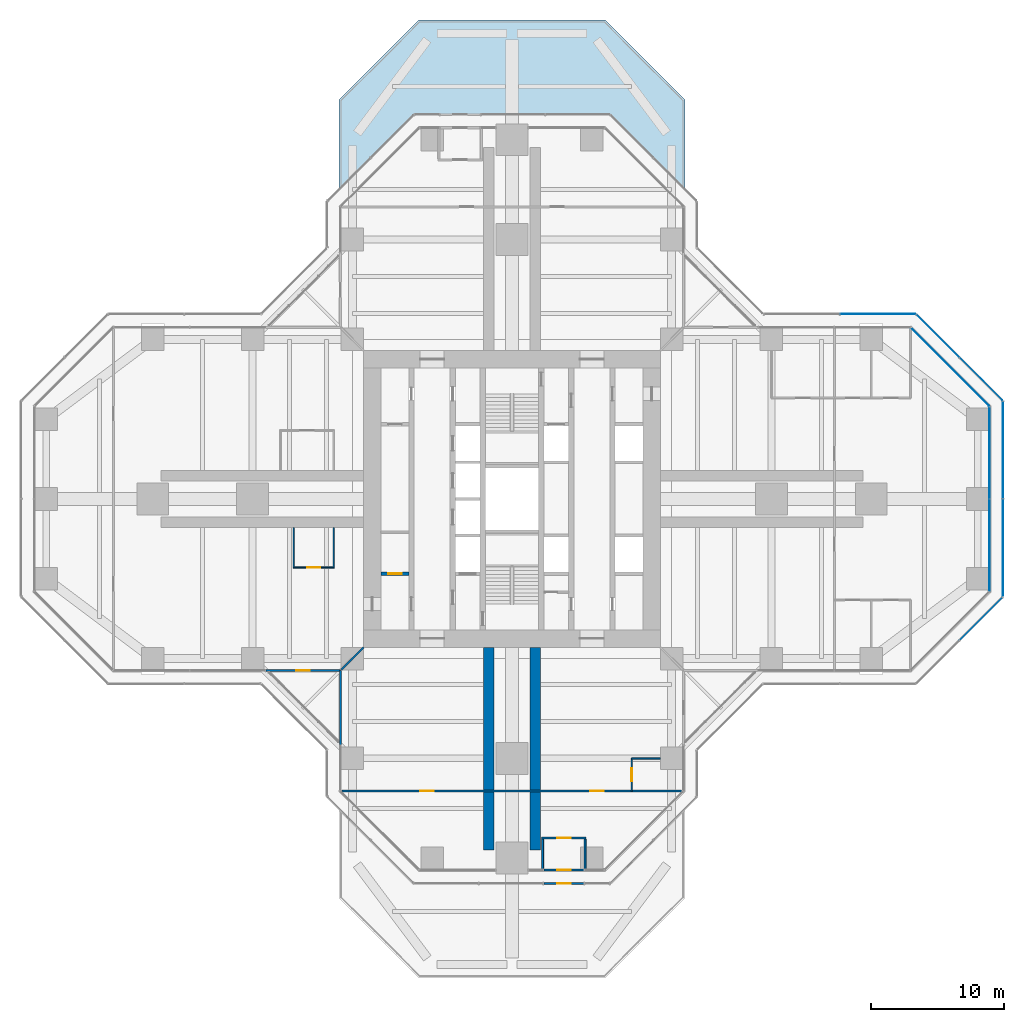
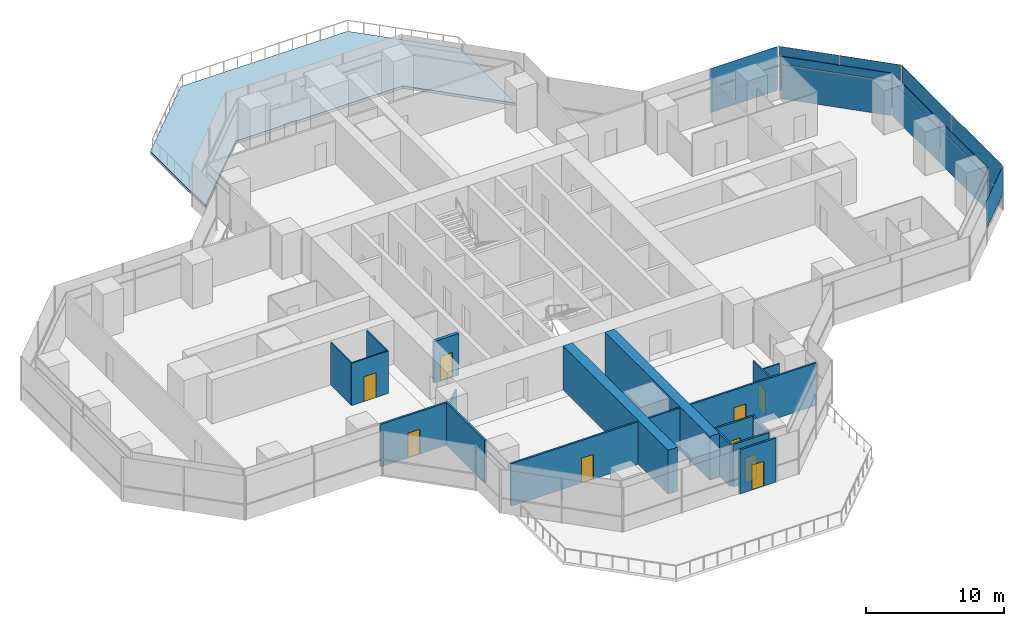
# One storey, part 16 of 21: 17 plates, 17 walls, 9 doors, 1 slab, 9 openings, 6 elements without a shape of their own.
"""IFC4 building model written with IfcOpenShell, lengths in metres."""

from ifc_helpers import new_model, si_unit, direction, frame, frame_2d, origin, origin_2d, place, context, subcontext, project, spatial, polyline, rectangle, outline, extrude, material, layer, layer_set, type_object, element, fill, aggregate, save


model = new_model("IFC4")

# Units and contexts
model_context = context("Model", 3, precision=1e-05, world=origin(), true_north=direction((0.0, 1.0)))
body_context = subcontext(model_context, "Body", "Model", "MODEL_VIEW")
ifc_project = project(units=[si_unit("LENGTHUNIT", "METRE"), si_unit("AREAUNIT", "SQUARE_METRE"), si_unit("VOLUMEUNIT", "CUBIC_METRE"), si_unit("PLANEANGLEUNIT", "RADIAN"), si_unit("MASSUNIT", "GRAM", prefix="KILO")], contexts=[model_context])

# Site, building, storey
site_placement = place(None, origin())
site = spatial("IfcSite", under=ifc_project, at=site_placement, CompositionType="ELEMENT")
building_placement = place(site_placement, origin())
building = spatial("IfcBuilding", under=site, at=building_placement, Name="Mizan Broadcast Tower", CompositionType="ELEMENT")
storey_placement = place(building_placement, frame((0.0, 0.0, 124.199951171875)))
storey = spatial("IfcBuildingStorey", under=building, at=storey_placement, Name="L27", CompositionType="ELEMENT", Elevation=124.199951171875)

# Curtain wall, plates
ifc_material_1 = material(Name="Aluminium framed glazing", Category="aluminium")
curtain_wall_type_1 = type_object("IfcCurtainWallType", Name="INNER SKIN MID ZONE", PredefinedType="USERDEFINED", material=ifc_material_1)
curtain_wall_1_placement = place(storey_placement, origin())
curtain_wall_1 = element("IfcCurtainWall", 1, at=curtain_wall_1_placement, inside=storey, type_object=curtain_wall_type_1, Name="Inner skin mid zone L27 E end", ObjectType="INNER SKIN MID ZONE", PredefinedType="USERDEFINED")
ifc_material_2 = material(Name="Double glazing, clear low-e", Category="glass")
ifc_layer_1 = layer(ifc_material_2, 0.028076171875)
ifc_layer_set_1 = layer_set([ifc_layer_1], Name="Double glazing, clear low-e")
plate_type_1 = type_object("IfcPlateType", Name="INNER SKIN GLAZING UNIT", PredefinedType="CURTAIN_PANEL", material=ifc_layer_set_1)
plate_1_placement = place(storey_placement, frame((35.89990234375, -3.46435546875, 0.0), z_axis=(0.0, 0.0, 1.0), x_axis=(0.0, 1.0, 0.0)))
plate_1 = element("IfcPlate", 2, at=plate_1_placement, type_object=plate_type_1, Name="Inner skin mid zone L27 E end panel 1.1", PredefinedType="CURTAIN_PANEL", context=body_context, shape_type="SweptSolid", body=[
    extrude(rectangle(XDim=6.86865234375, YDim=0.028076171875, at=origin_2d()), origin(), (0.0, 0.0, 1.0), 3.0),
])
plate_2_placement = place(storey_placement, frame((35.89990234375, 3.46435546875, 0.0), z_axis=(0.0, 0.0, 1.0), x_axis=(0.0, 1.0, 0.0)))
plate_2 = element("IfcPlate", 3, at=plate_2_placement, type_object=plate_type_1, Name="Inner skin mid zone L27 E end panel 2.1", PredefinedType="CURTAIN_PANEL", context=body_context, shape_type="SweptSolid", body=[
    extrude(rectangle(XDim=6.86865234375, YDim=0.028076171875, at=origin_2d()), origin(), (0.0, 0.0, 1.0), 3.0),
])

# Curtain wall, plate
curtain_wall_2_placement = place(storey_placement, origin())
curtain_wall_2 = element("IfcCurtainWall", 4, at=curtain_wall_2_placement, inside=storey, type_object=curtain_wall_type_1, Name="Inner skin mid zone L27 E chamfer", ObjectType="INNER SKIN MID ZONE", PredefinedType="USERDEFINED")
plate_3_placement = place(storey_placement, frame((32.92919921875, 9.92919921875, 0.0), z_axis=(0.0, 0.0, 1.0), x_axis=(-0.707106781187, 0.707106781187, 0.0)))
plate_3 = element("IfcPlate", 5, at=plate_3_placement, type_object=plate_type_1, Name="Inner skin mid zone L27 E chamfer panel 1.1", PredefinedType="CURTAIN_PANEL", context=body_context, shape_type="SweptSolid", body=[
    extrude(rectangle(XDim=8.282470703125, YDim=0.028076171875, at=origin_2d()), origin(), (0.0, 0.0, 1.0), 3.0),
])

# Plate
ifc_material_3 = material(Name="Insulated aluminium spandrel panel, pale anodised", Category="aluminium")
ifc_layer_2 = layer(ifc_material_3, 0.050048828125)
ifc_layer_set_2 = layer_set([ifc_layer_2], Name="Insulated aluminium spandrel panel, pale anodised")
plate_type_2 = type_object("IfcPlateType", Name="INNER SKIN SPANDREL PANEL", PredefinedType="CURTAIN_PANEL", material=ifc_layer_set_2)
plate_4_placement = place(storey_placement, frame((35.89990234375, -3.46435546875, 3.06005859375), z_axis=(0.0, 0.0, 1.0), x_axis=(0.0, 1.0, 0.0)))
plate_4 = element("IfcPlate", 6, at=plate_4_placement, type_object=plate_type_2, Name="Inner skin mid zone L27 E end panel 1.2", PredefinedType="CURTAIN_PANEL", context=body_context, shape_type="SweptSolid", body=[
    extrude(rectangle(XDim=6.86865234375, YDim=0.050048828125, at=origin_2d()), origin(), (0.0, 0.0, 1.0), 0.7099609375),
])

plate_5_placement = place(storey_placement, frame((35.89990234375, 3.46435546875, 3.06005859375), z_axis=(0.0, 0.0, 1.0), x_axis=(0.0, 1.0, 0.0)))
plate_5 = element("IfcPlate", 7, at=plate_5_placement, type_object=plate_type_2, Name="Inner skin mid zone L27 E end panel 2.2", PredefinedType="CURTAIN_PANEL", context=body_context, shape_type="SweptSolid", body=[
    extrude(rectangle(XDim=6.86865234375, YDim=0.050048828125, at=origin_2d()), origin(), (0.0, 0.0, 1.0), 0.7099609375),
])

aggregate(curtain_wall_1, [plate_1, plate_4, plate_2, plate_5])

plate_6_placement = place(storey_placement, frame((32.92919921875, 9.92919921875, 3.06005859375), z_axis=(0.0, 0.0, 1.0), x_axis=(-0.707106781187, 0.707106781187, 0.0)))
plate_6 = element("IfcPlate", 8, at=plate_6_placement, type_object=plate_type_2, Name="Inner skin mid zone L27 E chamfer panel 1.2", PredefinedType="CURTAIN_PANEL", context=body_context, shape_type="SweptSolid", body=[
    extrude(rectangle(XDim=8.282470703125, YDim=0.050048828125, at=origin_2d()), origin(), (0.0, 0.0, 1.0), 0.7099609375),
])

aggregate(curtain_wall_2, [plate_3, plate_6])

# Curtain wall, plates
ifc_material_4 = material(Name="Aluminium framed glazing", Category="aluminium")
curtain_wall_type_2 = type_object("IfcCurtainWallType", Name="OUTER SKIN", PredefinedType="USERDEFINED", material=ifc_material_4)
curtain_wall_3_placement = place(storey_placement, origin())
curtain_wall_3 = element("IfcCurtainWall", 9, at=curtain_wall_3_placement, inside=storey, type_object=curtain_wall_type_2, Name="Outer skin L27 E end", ObjectType="OUTER SKIN", PredefinedType="USERDEFINED")
ifc_material_5 = material(Name="Laminated clear glass", Category="glass")
ifc_layer_3 = layer(ifc_material_5, 0.02001953125)
ifc_layer_set_3 = layer_set([ifc_layer_3], Name="Laminated clear glass")
plate_type_3 = type_object("IfcPlateType", Name="OUTER SKIN CLEAR GLASS", PredefinedType="CURTAIN_PANEL", material=ifc_layer_set_3)
plate_7_placement = place(storey_placement, frame((36.89990234375, -3.66650390625, 0.0), z_axis=(0.0, 0.0, 1.0), x_axis=(0.0, 1.0, 0.0)))
plate_7 = element("IfcPlate", 10, at=plate_7_placement, type_object=plate_type_3, Name="Outer skin L27 E end panel 1.1", PredefinedType="CURTAIN_PANEL", context=body_context, shape_type="SweptSolid", body=[
    extrude(rectangle(XDim=7.252685546875, YDim=0.02001953125, at=origin_2d()), origin(), (0.0, 0.0, 1.0), 1.3701171875),
])
plate_8_placement = place(storey_placement, frame((36.89990234375, -3.66650390625, 1.43017578125), z_axis=(0.0, 0.0, 1.0), x_axis=(0.0, 1.0, 0.0)))
plate_8 = element("IfcPlate", 11, at=plate_8_placement, type_object=plate_type_3, Name="Outer skin L27 E end panel 1.2", PredefinedType="CURTAIN_PANEL", context=body_context, shape_type="SweptSolid", body=[
    extrude(rectangle(XDim=7.252685546875, YDim=0.02001953125, at=origin_2d()), origin(), (0.0, 0.0, 1.0), 2.469970703125),
])

curtain_wall_4_placement = place(storey_placement, origin())
curtain_wall_4 = element("IfcCurtainWall", 12, at=curtain_wall_4_placement, inside=storey, type_object=curtain_wall_type_2, Name="Outer skin L27 E chamfer", ObjectType="OUTER SKIN", PredefinedType="USERDEFINED")
plate_9_placement = place(storey_placement, frame((35.254150390625, 9.018798828125, 0.0), z_axis=(0.0, 0.0, 1.0), x_axis=(-0.707106781187, 0.707106781187, 0.0)))
plate_9 = element("IfcPlate", 13, at=plate_9_placement, type_object=plate_type_3, Name="Outer skin L27 E chamfer panel 1.1", PredefinedType="CURTAIN_PANEL", context=body_context, shape_type="SweptSolid", body=[
    extrude(rectangle(XDim=4.495361328125, YDim=0.02001953125, at=origin_2d()), origin(), (0.0, 0.0, 1.0), 1.3701171875),
])
plate_10_placement = place(storey_placement, frame((35.254150390625, 9.018798828125, 1.43017578125), z_axis=(0.0, 0.0, 1.0), x_axis=(-0.707106781187, 0.707106781187, 0.0)))
plate_10 = element("IfcPlate", 14, at=plate_10_placement, type_object=plate_type_3, Name="Outer skin L27 E chamfer panel 1.2", PredefinedType="CURTAIN_PANEL", context=body_context, shape_type="SweptSolid", body=[
    extrude(rectangle(XDim=4.495361328125, YDim=0.02001953125, at=origin_2d()), origin(), (0.0, 0.0, 1.0), 2.469970703125),
])

curtain_wall_5_placement = place(storey_placement, origin())
curtain_wall_5 = element("IfcCurtainWall", 15, at=curtain_wall_5_placement, inside=storey, type_object=curtain_wall_type_2, Name="Outer skin L27 E side", ObjectType="OUTER SKIN", PredefinedType="USERDEFINED")
plate_11_placement = place(storey_placement, frame((27.477783203125, 13.89990234375, 0.0), z_axis=(0.0, 0.0, 1.0), x_axis=(-1.0, 0.0, 0.0)))
plate_11 = element("IfcPlate", 16, at=plate_11_placement, type_object=plate_type_3, Name="Outer skin L27 E side panel 1.1", PredefinedType="CURTAIN_PANEL", context=body_context, shape_type="SweptSolid", body=[
    extrude(rectangle(XDim=5.6298828125, YDim=0.02001953125, at=origin_2d()), origin(), (0.0, 0.0, 1.0), 1.3701171875),
])
plate_12_placement = place(storey_placement, frame((27.477783203125, 13.89990234375, 1.43017578125), z_axis=(0.0, 0.0, 1.0), x_axis=(-1.0, 0.0, 0.0)))
plate_12 = element("IfcPlate", 17, at=plate_12_placement, type_object=plate_type_3, Name="Outer skin L27 E side panel 1.2", PredefinedType="CURTAIN_PANEL", context=body_context, shape_type="SweptSolid", body=[
    extrude(rectangle(XDim=5.6298828125, YDim=0.02001953125, at=origin_2d()), origin(), (0.0, 0.0, 1.0), 2.469970703125),
])
aggregate(curtain_wall_5, [plate_11, plate_12])

# Curtain wall, plate
curtain_wall_6_placement = place(storey_placement, origin())
curtain_wall_6 = element("IfcCurtainWall", 18, at=curtain_wall_6_placement, inside=storey, type_object=curtain_wall_type_2, Name="Outer skin L27 E chamfer", ObjectType="OUTER SKIN", PredefinedType="USERDEFINED")
ifc_material_6 = material(Name="Perforated aluminium, pale anodised", Category="aluminium")
ifc_layer_4 = layer(ifc_material_6, 0.011962890625)
ifc_layer_set_4 = layer_set([ifc_layer_4], Name="Perforated aluminium, pale anodised")
plate_type_4 = type_object("IfcPlateType", Name="OUTER SKIN PERFORATED SCREEN", PredefinedType="USERDEFINED", material=ifc_layer_set_4)
plate_13_placement = place(storey_placement, frame((35.254150390625, -9.018798828125, 1.43017578125), z_axis=(0.0, 0.0, 1.0), x_axis=(0.707106781187, 0.707106781187, 0.0)))
plate_13 = element("IfcPlate", 19, at=plate_13_placement, type_object=plate_type_4, Name="Outer skin L27 E chamfer panel 2.2", ObjectType="SCREEN", PredefinedType="USERDEFINED", context=body_context, shape_type="SweptSolid", body=[
    extrude(rectangle(XDim=4.495361328125, YDim=0.011962890625, at=origin_2d()), origin(), (0.0, 0.0, 1.0), 2.469970703125),
])
aggregate(curtain_wall_6, [plate_13])

# Plate
plate_14_placement = place(storey_placement, frame((36.89990234375, 3.66650390625, 0.0), z_axis=(0.0, 0.0, 1.0), x_axis=(0.0, 1.0, 0.0)))
plate_14 = element("IfcPlate", 20, at=plate_14_placement, type_object=plate_type_4, Name="Outer skin L27 E end panel 2.1", ObjectType="SCREEN", PredefinedType="USERDEFINED", context=body_context, shape_type="SweptSolid", body=[
    extrude(rectangle(XDim=7.252685546875, YDim=0.011962890625, at=origin_2d()), origin(), (0.0, 0.0, 1.0), 1.3701171875),
])

plate_15_placement = place(storey_placement, frame((36.89990234375, 3.66650390625, 1.43017578125), z_axis=(0.0, 0.0, 1.0), x_axis=(0.0, 1.0, 0.0)))
plate_15 = element("IfcPlate", 21, at=plate_15_placement, type_object=plate_type_4, Name="Outer skin L27 E end panel 2.2", ObjectType="SCREEN", PredefinedType="USERDEFINED", context=body_context, shape_type="SweptSolid", body=[
    extrude(rectangle(XDim=7.252685546875, YDim=0.011962890625, at=origin_2d()), origin(), (0.0, 0.0, 1.0), 2.469970703125),
])

aggregate(curtain_wall_3, [plate_7, plate_8, plate_14, plate_15])

plate_16_placement = place(storey_placement, frame((32.018798828125, 12.254150390625, 0.0), z_axis=(0.0, 0.0, 1.0), x_axis=(-0.707106781187, 0.707106781187, 0.0)))
plate_16 = element("IfcPlate", 22, at=plate_16_placement, type_object=plate_type_4, Name="Outer skin L27 E chamfer panel 2.1", ObjectType="SCREEN", PredefinedType="USERDEFINED", context=body_context, shape_type="SweptSolid", body=[
    extrude(rectangle(XDim=4.495361328125, YDim=0.011962890625, at=origin_2d()), origin(), (0.0, 0.0, 1.0), 1.3701171875),
])

plate_17_placement = place(storey_placement, frame((32.018798828125, 12.254150390625, 1.43017578125), z_axis=(0.0, 0.0, 1.0), x_axis=(-0.707106781187, 0.707106781187, 0.0)))
plate_17 = element("IfcPlate", 23, at=plate_17_placement, type_object=plate_type_4, Name="Outer skin L27 E chamfer panel 2.2", ObjectType="SCREEN", PredefinedType="USERDEFINED", context=body_context, shape_type="SweptSolid", body=[
    extrude(rectangle(XDim=4.495361328125, YDim=0.011962890625, at=origin_2d()), origin(), (0.0, 0.0, 1.0), 2.469970703125),
])

aggregate(curtain_wall_4, [plate_9, plate_10, plate_16, plate_17])

# Slab
ifc_material_7 = material(Name="Concrete C32/40", Category="concrete")
ifc_layer_5 = layer(ifc_material_7, 0.25)
ifc_layer_set_5 = layer_set([ifc_layer_5], Name="Concrete C32/40")
slab_type = type_object("IfcSlabType", Name="ROOF SLAB ON DECK 250", PredefinedType="ROOF", material=ifc_layer_set_5)
slab_placement = place(storey_placement, frame((0.0, 0.0, -0.25)))
element("IfcSlab", 24, at=slab_placement, inside=storey, type_object=slab_type, Name="Maintenance roof slab L27 part 1", PredefinedType="ROOF", context=body_context, shape_type="SweptSolid", body=[
    extrude(outline(polyline([(-13.0, 30.0), (-13.0, 22.01416015625), (-7.004150390625, 28.010009765625), (7.004150390625, 28.010009765625), (13.0, 22.01416015625), (13.0, 30.0), (7.0, 36.0), (-7.0, 36.0), (-13.0, 30.0)])), origin(), (0.0, 0.0, 1.0), 0.25),
])

# Wall, opening, door
ifc_material_8 = material(Name="Aluminium framed glazed screen", Category="aluminium")
ifc_layer_6 = layer(ifc_material_8, 0.159912109375)
ifc_layer_set_6 = layer_set([ifc_layer_6], Name="Aluminium framed glazed screen")
wall_type_1 = type_object("IfcWallType", Name="GLAZED SCREEN WALL 160", PredefinedType="SOLIDWALL", material=ifc_layer_set_6)
wall_1_placement = place(storey_placement, frame((-18.5, -12.89990234375, 0.0), z_axis=(0.0, 0.0, 1.0), x_axis=(1.0, 0.0, 0.0)))
wall_1 = element("IfcWall", 25, at=wall_1_placement, inside=storey, type_object=wall_type_1, Name="Winter garden screen L27 W", PredefinedType="SOLIDWALL", context=body_context, shape_type="SweptSolid", body=[
    extrude(rectangle(XDim=5.60009765625, YDim=0.159912109375, at=frame_2d((2.800048828125, 0.0))), origin(), (0.0, 0.0, 1.0), 3.77001953125),
])
opening_1_placement = place(wall_1_placement, frame((2.300048828125, 0.0, 0.0)))
opening_1 = element("IfcOpeningElement", 26, at=opening_1_placement, cuts=wall_1, Name="Opening WGD", PredefinedType="OPENING", context=body_context, shape_type="SweptSolid", body=[
    extrude(rectangle(XDim=1.0, YDim=2.199951171875, at=frame_2d((0.5, 1.10009765625))), frame((0.0, 0.08984375, 0.0), z_axis=(0.0, -1.0, 0.0), x_axis=(1.0, 0.0, 0.0)), (0.0, 0.0, 1.0), 0.179931640625),
])
ifc_material_9 = material(Name="Aluminium framed glazed door", Category="aluminium")
door_type_1 = type_object("IfcDoorType", Name="WINTER GARDEN DOOR 1000 GLAZED", OperationType="SINGLE_SWING_LEFT", PredefinedType="DOOR", material=ifc_material_9)
door_1_placement = place(opening_1_placement, origin())
door_1 = element("IfcDoor", 27, at=door_1_placement, inside=storey, type_object=door_type_1, Name="Winter garden door L27 W", OperationType="SINGLE_SWING_RIGHT", OverallHeight=2.199951171875, OverallWidth=1.0, PredefinedType="DOOR", context=body_context, shape_type="SweptSolid", body=[
    extrude(rectangle(XDim=1.0, YDim=2.199951171875, at=frame_2d((0.5, 1.10009765625))), frame((0.0, 0.02490234375, 0.0), z_axis=(0.0, -1.0, 0.0), x_axis=(1.0, 0.0, 0.0)), (0.0, 0.0, 1.0), 0.050048828125),
])
fill(opening_1, door_1)

# Wall
wall_2_placement = place(storey_placement, frame((-12.89990234375, -12.89990234375, 0.0), z_axis=(0.0, 0.0, 1.0), x_axis=(0.0, -1.0, 0.0)))
element("IfcWall", 28, at=wall_2_placement, inside=storey, type_object=wall_type_1, Name="Winter garden screen L27 S", PredefinedType="SOLIDWALL", context=body_context, shape_type="SweptSolid", body=[
    extrude(rectangle(XDim=5.60009765625, YDim=0.159912109375, at=frame_2d((2.800048828125, 0.0))), origin(), (0.0, 0.0, 1.0), 3.77001953125),
])

# Wall, opening, door
wall_3_placement = place(storey_placement, frame((2.39990234375, -27.89990234375, 0.0), z_axis=(0.0, 0.0, 1.0), x_axis=(1.0, 0.0, 0.0)))
wall_3 = element("IfcWall", 29, at=wall_3_placement, inside=storey, type_object=wall_type_1, Name="Roof access screen wall L27 S", PredefinedType="SOLIDWALL", context=body_context, shape_type="SweptSolid", body=[
    extrude(rectangle(XDim=3.0, YDim=0.159912109375, at=frame_2d((1.5, 0.0))), origin(), (0.0, 0.0, 1.0), 3.77001953125),
])
opening_2_placement = place(wall_3_placement, frame((1.0, 0.0, 0.0)))
opening_2 = element("IfcOpeningElement", 30, at=opening_2_placement, cuts=wall_3, Name="Opening RA", PredefinedType="OPENING", context=body_context, shape_type="SweptSolid", body=[
    extrude(rectangle(XDim=1.0, YDim=2.199951171875, at=frame_2d((0.5, 1.10009765625))), frame((0.0, 0.08984375, 0.0), z_axis=(0.0, -1.0, 0.0), x_axis=(1.0, 0.0, 0.0)), (0.0, 0.0, 1.0), 0.179931640625),
])
ifc_material_10 = material(Name="Steel door", Category="steel")
door_type_2 = type_object("IfcDoorType", Name="ROOF ACCESS DOOR 1000", OperationType="SINGLE_SWING_LEFT", PredefinedType="DOOR", material=ifc_material_10)
door_2_placement = place(opening_2_placement, origin())
door_2 = element("IfcDoor", 31, at=door_2_placement, inside=storey, type_object=door_type_2, Name="Roof access door L27 S", OperationType="SINGLE_SWING_LEFT", OverallHeight=2.199951171875, OverallWidth=1.0, PredefinedType="DOOR", context=body_context, shape_type="SweptSolid", body=[
    extrude(rectangle(XDim=1.0, YDim=2.199951171875, at=frame_2d((0.5, 1.10009765625))), frame((0.0, 0.02490234375, 0.0), z_axis=(0.0, -1.0, 0.0), x_axis=(1.0, 0.0, 0.0)), (0.0, 0.0, 1.0), 0.050048828125),
])
fill(opening_2, door_2)

ifc_material_11 = material(Name="Concrete blockwork", Category="masonry")
ifc_layer_7 = layer(ifc_material_11, 0.25)
ifc_layer_set_7 = layer_set([ifc_layer_7], Name="Concrete blockwork")
wall_type_2 = type_object("IfcWallType", Name="LOBBY ENCLOSURE WALL 250", PredefinedType="SOLIDWALL", material=ifc_layer_set_7)
wall_4_placement = place(storey_placement, frame((-9.85009765625, -5.625, 0.0), z_axis=(0.0, 0.0, 1.0), x_axis=(1.0, 0.0, 0.0)))
wall_4 = element("IfcWall", 32, at=wall_4_placement, inside=storey, type_object=wall_type_2, Name="Lobby enclosure wall CORE/BW1S", PredefinedType="SOLIDWALL", context=body_context, shape_type="SweptSolid", body=[
    extrude(rectangle(XDim=2.10009765625, YDim=0.25, at=frame_2d((1.050048828125, 0.0))), origin(), (0.0, 0.0, 1.0), 3.699951171875),
])
opening_3_placement = place(wall_4_placement, frame((0.550048828125, 0.0, 0.0)))
opening_3 = element("IfcOpeningElement", 33, at=opening_3_placement, cuts=wall_4, Name="Opening D10F", PredefinedType="OPENING", context=body_context, shape_type="SweptSolid", body=[
    extrude(rectangle(XDim=1.0, YDim=2.199951171875, at=frame_2d((0.5, 1.10009765625))), frame((0.0, 0.135009765625, 0.0), z_axis=(0.0, -1.0, 0.0), x_axis=(1.0, 0.0, 0.0)), (0.0, 0.0, 1.0), 0.27001953125),
])
ifc_material_12 = material(Name="Steel door leaf in steel frame", Category="steel")
door_type_3 = type_object("IfcDoorType", Name="FIRE DOOR 1000 FD90", OperationType="SINGLE_SWING_LEFT", PredefinedType="DOOR", material=ifc_material_12)
door_3_placement = place(opening_3_placement, origin())
door_3 = element("IfcDoor", 34, at=door_3_placement, inside=storey, type_object=door_type_3, Name="IT room door", OperationType="SINGLE_SWING_RIGHT", OverallHeight=2.199951171875, OverallWidth=1.0, PredefinedType="DOOR", context=body_context, shape_type="SweptSolid", body=[
    extrude(rectangle(XDim=1.0, YDim=2.199951171875, at=frame_2d((0.5, 1.10009765625))), frame((0.0, 0.02490234375, 0.0), z_axis=(0.0, -1.0, 0.0), x_axis=(1.0, 0.0, 0.0)), (0.0, 0.0, 1.0), 0.050048828125),
])
fill(opening_3, door_3)

ifc_material_13 = material(Name="Aluminium framed glazed screen", Category="aluminium")
ifc_layer_8 = layer(ifc_material_13, 0.159912109375)
ifc_layer_set_8 = layer_set([ifc_layer_8], Name="Aluminium framed glazed screen")
wall_type_3 = type_object("IfcWallType", Name="OUTER SKIN DOOR SCREEN 160", PredefinedType="SOLIDWALL", material=ifc_layer_set_8)
wall_5_placement = place(storey_placement, frame((5.39990234375, -28.89990234375, 0.0), z_axis=(0.0, 0.0, 1.0), x_axis=(-1.0, 0.0, 0.0)))
wall_5 = element("IfcWall", 35, at=wall_5_placement, inside=storey, type_object=wall_type_3, Name="Outer skin roof access screen L27 S", PredefinedType="SOLIDWALL", context=body_context, shape_type="SweptSolid", body=[
    extrude(rectangle(XDim=3.0, YDim=0.159912109375, at=frame_2d((1.5, 0.0))), origin(), (0.0, 0.0, 1.0), 3.900146484375),
])
opening_4_placement = place(wall_5_placement, frame((1.0, 0.0, 0.0)))
opening_4 = element("IfcOpeningElement", 36, at=opening_4_placement, cuts=wall_5, Name="Opening RA", PredefinedType="OPENING", context=body_context, shape_type="SweptSolid", body=[
    extrude(rectangle(XDim=1.0, YDim=2.199951171875, at=frame_2d((0.5, 1.10009765625))), frame((0.0, 0.08984375, 0.0), z_axis=(0.0, -1.0, 0.0), x_axis=(1.0, 0.0, 0.0)), (0.0, 0.0, 1.0), 0.179931640625),
])
door_4_placement = place(opening_4_placement, origin())
door_4 = element("IfcDoor", 37, at=door_4_placement, inside=storey, type_object=door_type_2, Name="Roof access door L27 S outer skin", OperationType="SINGLE_SWING_RIGHT", OverallHeight=2.199951171875, OverallWidth=1.0, PredefinedType="DOOR", context=body_context, shape_type="SweptSolid", body=[
    extrude(rectangle(XDim=1.0, YDim=2.199951171875, at=frame_2d((0.5, 1.10009765625))), frame((0.0, 0.02490234375, 0.0), z_axis=(0.0, -1.0, 0.0), x_axis=(1.0, 0.0, 0.0)), (0.0, 0.0, 1.0), 0.050048828125),
])
fill(opening_4, door_4)

# Wall, openings, doors
ifc_material_14 = material(Name="Gypsum board on steel studs", Category="steel")
ifc_layer_9 = layer(ifc_material_14, 0.14990234375)
ifc_layer_set_9 = layer_set([ifc_layer_9], Name="Gypsum board on steel studs")
wall_type_4 = type_object("IfcWallType", Name="PARTITION 150", PredefinedType="PARTITIONING", material=ifc_layer_set_9)
wall_6_placement = place(storey_placement, frame((-12.786376953125, -21.958984375, 0.0), z_axis=(0.0, 0.0, 1.0), x_axis=(1.0, 0.0, 0.0)))
wall_6 = element("IfcWall", 38, at=wall_6_placement, inside=storey, type_object=wall_type_4, Name="Partition PT/SX1", PredefinedType="PARTITIONING", context=body_context, shape_type="SweptSolid", body=[
    extrude(rectangle(XDim=25.57275390625, YDim=0.14990234375, at=frame_2d((12.786376953125, 0.0))), origin(), (0.0, 0.0, 1.0), 3.77001953125),
])
opening_5_placement = place(wall_6_placement, frame((18.6865234375, 0.0, 0.0)))
opening_5 = element("IfcOpeningElement", 39, at=opening_5_placement, cuts=wall_6, Name="Opening D10", PredefinedType="OPENING", context=body_context, shape_type="SweptSolid", body=[
    extrude(rectangle(XDim=1.0, YDim=2.199951171875, at=frame_2d((0.5, 1.10009765625))), frame((0.0, 0.0849609375, 0.0), z_axis=(0.0, -1.0, 0.0), x_axis=(1.0, 0.0, 0.0)), (0.0, 0.0, 1.0), 0.169921875),
])
opening_6_placement = place(wall_6_placement, frame((5.886474609375, 0.0, 0.0)))
opening_6 = element("IfcOpeningElement", 40, at=opening_6_placement, cuts=wall_6, Name="Opening D10", PredefinedType="OPENING", context=body_context, shape_type="SweptSolid", body=[
    extrude(rectangle(XDim=1.0, YDim=2.199951171875, at=frame_2d((0.5, 1.10009765625))), frame((0.0, 0.0849609375, 0.0), z_axis=(0.0, -1.0, 0.0), x_axis=(1.0, 0.0, 0.0)), (0.0, 0.0, 1.0), 0.169921875),
])
ifc_material_15 = material(Name="Timber door leaf in aluminium frame", Category="wood")
door_type_4 = type_object("IfcDoorType", Name="ROOM DOOR 1000", OperationType="SINGLE_SWING_LEFT", PredefinedType="DOOR", material=ifc_material_15)
door_5_placement = place(opening_5_placement, origin())
door_5 = element("IfcDoor", 41, at=door_5_placement, inside=storey, type_object=door_type_4, Name="Meeting room door", OperationType="SINGLE_SWING_RIGHT", OverallHeight=2.199951171875, OverallWidth=1.0, PredefinedType="DOOR", context=body_context, shape_type="SweptSolid", body=[
    extrude(rectangle(XDim=1.0, YDim=2.199951171875, at=frame_2d((0.5, 1.10009765625))), frame((0.0, 0.02490234375, 0.0), z_axis=(0.0, -1.0, 0.0), x_axis=(1.0, 0.0, 0.0)), (0.0, 0.0, 1.0), 0.050048828125),
])
fill(opening_5, door_5)
door_6_placement = place(opening_6_placement, origin())
door_6 = element("IfcDoor", 42, at=door_6_placement, inside=storey, type_object=door_type_4, Name="Meeting room door", OperationType="SINGLE_SWING_LEFT", OverallHeight=2.199951171875, OverallWidth=1.0, PredefinedType="DOOR", context=body_context, shape_type="SweptSolid", body=[
    extrude(rectangle(XDim=1.0, YDim=2.199951171875, at=frame_2d((0.5, 1.10009765625))), frame((0.0, 0.02490234375, 0.0), z_axis=(0.0, -1.0, 0.0), x_axis=(1.0, 0.0, 0.0)), (0.0, 0.0, 1.0), 0.050048828125),
])
fill(opening_6, door_6)

# Wall, opening, door
wall_7_placement = place(storey_placement, frame((2.22509765625, -25.4951171875, 0.0), z_axis=(0.0, 0.0, 1.0), x_axis=(1.0, 0.0, 0.0)))
wall_7 = element("IfcWall", 43, at=wall_7_placement, inside=storey, type_object=wall_type_4, Name="Partition PT/SFMU", PredefinedType="PARTITIONING", context=body_context, shape_type="SweptSolid", body=[
    extrude(rectangle(XDim=3.349853515625, YDim=0.14990234375, at=frame_2d((1.6748046875, 0.0))), origin(), (0.0, 0.0, 1.0), 3.77001953125),
])
opening_7_placement = place(wall_7_placement, frame((1.175048828125, 0.0, 0.0)))
opening_7 = element("IfcOpeningElement", 44, at=opening_7_placement, cuts=wall_7, Name="Opening D10O", PredefinedType="OPENING", context=body_context, shape_type="SweptSolid", body=[
    extrude(rectangle(XDim=1.0, YDim=2.199951171875, at=frame_2d((0.5, 1.10009765625))), frame((0.0, 0.0849609375, 0.0), z_axis=(0.0, -1.0, 0.0), x_axis=(1.0, 0.0, 0.0)), (0.0, 0.0, 1.0), 0.169921875),
])
ifc_material_16 = material(Name="Timber door leaf in aluminium frame", Category="wood")
door_type_5 = type_object("IfcDoorType", Name="OFFICE DOOR 1000 GLAZED", OperationType="SINGLE_SWING_LEFT", PredefinedType="DOOR", material=ifc_material_16)
door_7_placement = place(opening_7_placement, origin())
door_7 = element("IfcDoor", 45, at=door_7_placement, inside=storey, type_object=door_type_5, Name="Facade maintenance store S door", OperationType="SINGLE_SWING_LEFT", OverallHeight=2.199951171875, OverallWidth=1.0, PredefinedType="DOOR", context=body_context, shape_type="SweptSolid", body=[
    extrude(rectangle(XDim=1.0, YDim=2.199951171875, at=frame_2d((0.5, 1.10009765625))), frame((0.0, 0.02490234375, 0.0), z_axis=(0.0, -1.0, 0.0), x_axis=(1.0, 0.0, 0.0)), (0.0, 0.0, 1.0), 0.050048828125),
])
fill(opening_7, door_7)

# Walls
for number, where, z_axis, x_axis, name in (
    (46, (2.300048828125, -25.570068359375, 0.0), (0.0, 0.0, 1.0), (0.0, -1.0, 0.0), "Partition PT/SFMN"),
    (47, (5.5, -25.570068359375, 0.0), (0.0, 0.0, 1.0), (0.0, -1.0, 0.0), "Partition PT/SFMP"),
):
    element("IfcWall", number, at=place(storey_placement, frame(where, z_axis=z_axis, x_axis=x_axis)), inside=storey, type_object=wall_type_4, Name=name, PredefinedType="PARTITIONING", context=body_context, shape_type="SweptSolid", body=[
        extrude(rectangle(XDim=2.25, YDim=0.14990234375, at=frame_2d((1.125, 0.0))), origin(), (0.0, 0.0, 1.0), 3.77001953125),
    ])
wall_8_placement = place(storey_placement, frame((-11.14990234375, -11.14990234375, 0.0), z_axis=(0.0, 0.0, 1.0), x_axis=(-0.707106781187, -0.707106781187, 0.0)))
element("IfcWall", 48, at=wall_8_placement, inside=storey, type_object=wall_type_4, Name="Partition PT/DGWS", PredefinedType="PARTITIONING", context=body_context, shape_type="SweptSolid", body=[
    extrude(rectangle(XDim=2.362060546875, YDim=0.14990234375, at=frame_2d((1.18115234375, 0.0))), origin(), (0.0, 0.0, 1.0), 3.219970703125),
])
ifc_material_17 = material(Name="Glazed aluminium partition on aluminium track", Category="aluminium")
ifc_layer_10 = layer(ifc_material_17, 0.10009765625)
ifc_layer_set_10 = layer_set([ifc_layer_10], Name="Glazed aluminium partition on aluminium track")
wall_type_5 = type_object("IfcWallType", Name="PARTITION GLAZED OFFICE FRONT 100", PredefinedType="PARTITIONING", material=ifc_layer_set_10)
for number, where, z_axis, x_axis, name in (
    (49, (-13.39990234375, -2.14990234375, 0.0), (0.0, 0.0, 1.0), (0.0, -1.0, 0.0), "Glazed office front PT/WKP0a"),
    (50, (-16.39990234375, -2.14990234375, 0.0), (0.0, 0.0, 1.0), (0.0, -1.0, 0.0), "Glazed office front PT/WKP0b"),
):
    element("IfcWall", number, at=place(storey_placement, frame(where, z_axis=z_axis, x_axis=x_axis)), inside=storey, type_object=wall_type_5, Name=name, PredefinedType="PARTITIONING", context=body_context, shape_type="SweptSolid", body=[
        extrude(rectangle(XDim=3.0, YDim=0.10009765625, at=frame_2d((1.5, 0.0))), origin(), (0.0, 0.0, 1.0), 3.77001953125),
    ])

# Wall, opening, door
wall_9_placement = place(storey_placement, frame((-13.35009765625, -5.14990234375, 0.0), z_axis=(0.0, 0.0, 1.0), x_axis=(-1.0, 0.0, 0.0)))
wall_9 = element("IfcWall", 51, at=wall_9_placement, inside=storey, type_object=wall_type_5, Name="Glazed office front PT/WKP0f", PredefinedType="PARTITIONING", context=body_context, shape_type="SweptSolid", body=[
    extrude(rectangle(XDim=3.099853515625, YDim=0.10009765625, at=frame_2d((1.5498046875, 0.0))), origin(), (0.0, 0.0, 1.0), 3.77001953125),
])
opening_8_placement = place(wall_9_placement, frame((1.050048828125, 0.0, 0.0)))
opening_8 = element("IfcOpeningElement", 52, at=opening_8_placement, cuts=wall_9, Name="Opening D10O", PredefinedType="OPENING", context=body_context, shape_type="SweptSolid", body=[
    extrude(rectangle(XDim=1.0, YDim=2.199951171875, at=frame_2d((0.5, 1.10009765625))), frame((0.0, 0.06005859375, 0.0), z_axis=(0.0, -1.0, 0.0), x_axis=(1.0, 0.0, 0.0)), (0.0, 0.0, 1.0), 0.1201171875),
])
door_8_placement = place(opening_8_placement, origin())
door_8 = element("IfcDoor", 53, at=door_8_placement, inside=storey, type_object=door_type_5, Name="Pantry door", OperationType="SINGLE_SWING_LEFT", OverallHeight=2.199951171875, OverallWidth=1.0, PredefinedType="DOOR", context=body_context, shape_type="SweptSolid", body=[
    extrude(rectangle(XDim=1.0, YDim=2.199951171875, at=frame_2d((0.5, 1.10009765625))), frame((0.0, 0.02490234375, 0.0), z_axis=(0.0, -1.0, 0.0), x_axis=(1.0, 0.0, 0.0)), (0.0, 0.0, 1.0), 0.050048828125),
])
fill(opening_8, door_8)

wall_10_placement = place(storey_placement, frame((9.0, -19.5, 0.0), z_axis=(0.0, 0.0, 1.0), x_axis=(0.0, -1.0, 0.0)))
wall_10 = element("IfcWall", 54, at=wall_10_placement, inside=storey, type_object=wall_type_5, Name="Glazed office front PT/SCP0", PredefinedType="PARTITIONING", context=body_context, shape_type="SweptSolid", body=[
    extrude(rectangle(XDim=2.458984375, YDim=0.10009765625, at=frame_2d((1.2294921875, 0.0))), origin(), (0.0, 0.0, 1.0), 3.77001953125),
])
opening_9_placement = place(wall_10_placement, frame((0.7294921875, 0.0, 0.0)))
opening_9 = element("IfcOpeningElement", 55, at=opening_9_placement, cuts=wall_10, Name="Opening D10O", PredefinedType="OPENING", context=body_context, shape_type="SweptSolid", body=[
    extrude(rectangle(XDim=1.0, YDim=2.199951171875, at=frame_2d((0.5, 1.10009765625))), frame((0.0, 0.06005859375, 0.0), z_axis=(0.0, -1.0, 0.0), x_axis=(1.0, 0.0, 0.0)), (0.0, 0.0, 1.0), 0.1201171875),
])
door_9_placement = place(opening_9_placement, origin())
door_9 = element("IfcDoor", 56, at=door_9_placement, inside=storey, type_object=door_type_5, Name="Quiet room door", OperationType="SINGLE_SWING_LEFT", OverallHeight=2.199951171875, OverallWidth=1.0, PredefinedType="DOOR", context=body_context, shape_type="SweptSolid", body=[
    extrude(rectangle(XDim=1.0, YDim=2.199951171875, at=frame_2d((0.5, 1.10009765625))), frame((0.0, 0.02490234375, 0.0), z_axis=(0.0, -1.0, 0.0), x_axis=(1.0, 0.0, 0.0)), (0.0, 0.0, 1.0), 0.050048828125),
])
fill(opening_9, door_9)

# Walls
wall_11_placement = place(storey_placement, frame((9.0, -19.5, 0.0), z_axis=(0.0, 0.0, 1.0), x_axis=(1.0, 0.0, 0.0)))
element("IfcWall", 57, at=wall_11_placement, inside=storey, type_object=wall_type_5, Name="Glazed office front PT/SQP1950", PredefinedType="PARTITIONING", context=body_context, shape_type="SweptSolid", body=[
    extrude(rectangle(XDim=2.14990234375, YDim=0.10009765625, at=frame_2d((1.074951171875, 0.0))), origin(), (0.0, 0.0, 1.0), 2.77001953125),
])
ifc_material_18 = material(Name="Concrete C70/85", Category="concrete")
ifc_layer_11 = layer(ifc_material_18, 0.800048828125)
ifc_layer_set_11 = layer_set([ifc_layer_11], Name="Concrete C70/85")
wall_type_6 = type_object("IfcWallType", Name="SPINE WALL 800", PredefinedType="SHEAR", material=ifc_layer_set_11)
for number, where, z_axis, x_axis, name in (
    (58, (-1.75, -11.14990234375, 0.0), (0.0, 0.0, 1.0), (0.0, -1.0, 0.0), "Spine wall SR L27"),
    (59, (1.75, -11.14990234375, 0.0), (0.0, 0.0, 1.0), (0.0, -1.0, 0.0), "Spine wall SL L27"),
):
    element("IfcWall", number, at=place(storey_placement, frame(where, z_axis=z_axis, x_axis=x_axis)), inside=storey, type_object=wall_type_6, Name=name, PredefinedType="SHEAR", context=body_context, shape_type="SweptSolid", body=[
        extrude(rectangle(XDim=15.25, YDim=0.800048828125, at=frame_2d((7.625, 0.0))), origin(), (0.0, 0.0, 1.0), 3.900146484375),
    ])

save(model, "model.ifc")
